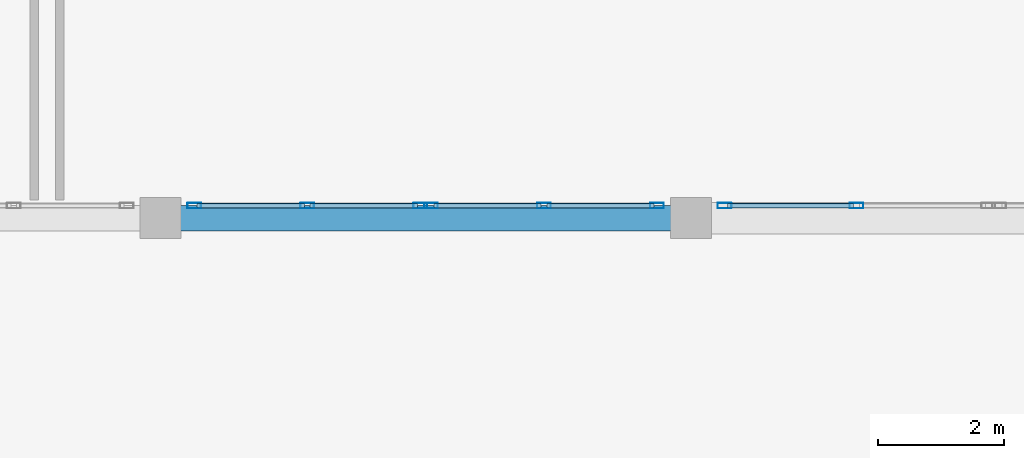
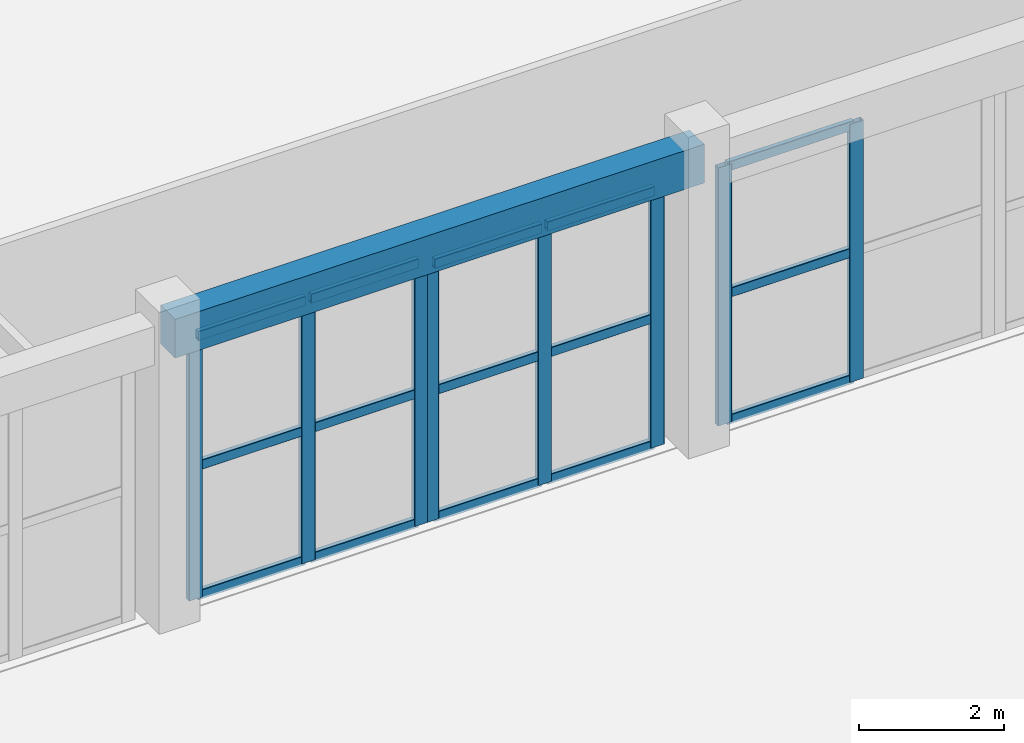
# One storey, part 24 of 98: 23 members, 1 beam, 3 elements without a shape of their own.
"""IFC4 building model written with IfcOpenShell, lengths in metres."""

from ifc_helpers import new_model, si_unit, direction, frame, origin, origin_2d, place, context, subcontext, project, spatial, rectangle, hollow_rectangle, extrude, material, layer, layer_set, material_profile, profile_set, type_object, element, aggregate, save


model = new_model("IFC4")

# Units and contexts
model_context = context("Model", 3, precision=1e-05, world=origin(), true_north=direction((0.0, 1.0)))
body_context = subcontext(model_context, "Body", "Model", "MODEL_VIEW")
ifc_project = project(units=[si_unit("LENGTHUNIT", "METRE"), si_unit("AREAUNIT", "SQUARE_METRE"), si_unit("VOLUMEUNIT", "CUBIC_METRE"), si_unit("PLANEANGLEUNIT", "RADIAN"), si_unit("MASSUNIT", "GRAM", prefix="KILO")], contexts=[model_context])

# Site, building, storey
site_placement = place(None, origin())
site = spatial("IfcSite", under=ifc_project, at=site_placement, CompositionType="ELEMENT")
building_placement = place(site_placement, origin())
building = spatial("IfcBuilding", under=site, at=building_placement, Name="Tarnavel Promenade Courthouse", CompositionType="ELEMENT")
storey_placement = place(building_placement, origin())
storey = spatial("IfcBuildingStorey", under=building, at=storey_placement, Name="L01", CompositionType="ELEMENT", Elevation=0.0)

# Beam
ifc_material_1 = material(Name="Concrete C40/50", Category="concrete")
ifc_material_profile_1 = material_profile(ifc_material_1, rectangle(XDim=0.39990234375, YDim=0.64990234375, at=origin_2d()), Name="RC 400x650")
ifc_profile_set_1 = profile_set([ifc_material_profile_1], Name="Concrete C40/50")
beam_type = type_object("IfcBeamType", Name="Concrete C40/50 BM-RC-400x650 (RC 400x650)", PredefinedType="BEAM", material=ifc_profile_set_1)
beam_placement = place(storey_placement, frame((84.0, 46.800048828125, 4.77001953125), z_axis=(1.0, 0.0, 0.0), x_axis=(0.0, 1.0, 0.0)))
element("IfcBeam", 1, at=beam_placement, inside=storey, type_object=beam_type, Name="L01 Primary Longitudinal Beam 0623", PredefinedType="BEAM", context=body_context, shape_type="SweptSolid", body=[
    extrude(rectangle(XDim=0.39990234375, YDim=0.64990234375, at=origin_2d()), origin(), (0.0, 0.0, 1.0), 8.39990234375),
])

# Curtain wall, members
ifc_material_2 = material(Name="Thermally Broken Anodised Aluminium Curtain Wall System", Category="aluminium")
ifc_layer = layer(ifc_material_2, 0.239990234375)
ifc_layer_set = layer_set([ifc_layer], Name="Thermally Broken Anodised Aluminium Curtain Wall System")
curtain_wall_type = type_object("IfcCurtainWallType", Name="Thermally Broken Aluminium Triple-Glazed Curtain Wall CW-WG-S", PredefinedType="NOTDEFINED", material=ifc_layer_set)
curtain_wall_1_placement = place(storey_placement, origin())
curtain_wall_1 = element("IfcCurtainWall", 2, at=curtain_wall_1_placement, inside=storey, type_object=curtain_wall_type, Name="L01 Winter-Garden South Solar Curtain Wall 053", PredefinedType="NOTDEFINED")
ifc_material_3 = material(Name="Thermally Broken Anodised Aluminium Frame", Category="aluminium")
ifc_material_profile_2 = material_profile(ifc_material_3, hollow_rectangle(XDim=0.090087890625, YDim=0.219970703125, WallThickness=0.0048828125, InnerFilletRadius=0.0048828125, OuterFilletRadius=0.010009765625, at=origin_2d()), Name="CWM 220x90x5")
ifc_profile_set_2 = profile_set([ifc_material_profile_2], Name="Thermally Broken Anodised Aluminium Frame")
member_type_1 = type_object("IfcMemberType", Name="Thermally Broken Anodised Aluminium CWM-175 (CWM 220x90x5)", PredefinedType="MULLION", material=ifc_profile_set_2)
member_1_placement = place(storey_placement, frame((84.534912109375, 47.0, 0.0), z_axis=(0.0, 0.0, 1.0), x_axis=(0.0, 1.0, 0.0)))
member_1 = element("IfcMember", 3, at=member_1_placement, type_object=member_type_1, Name="CW-02 mullion 1", PredefinedType="MULLION", context=body_context, shape_type="SweptSolid", body=[
    extrude(hollow_rectangle(XDim=0.090087890625, YDim=0.219970703125, WallThickness=0.0048828125, InnerFilletRadius=0.0048828125, OuterFilletRadius=0.010009765625, at=origin_2d()), origin(), (0.0, 0.0, 1.0), 4.429931640625),
])
member_2_placement = place(storey_placement, frame((86.324951171875, 47.0, 0.0), z_axis=(0.0, 0.0, 1.0), x_axis=(0.0, 1.0, 0.0)))
member_2 = element("IfcMember", 4, at=member_2_placement, type_object=member_type_1, Name="CW-02 mullion 2", PredefinedType="MULLION", context=body_context, shape_type="SweptSolid", body=[
    extrude(hollow_rectangle(XDim=0.090087890625, YDim=0.219970703125, WallThickness=0.0048828125, InnerFilletRadius=0.0048828125, OuterFilletRadius=0.010009765625, at=origin_2d()), origin(), (0.0, 0.0, 1.0), 4.429931640625),
])
member_3_placement = place(storey_placement, frame((88.114990234375, 47.0, 0.0), z_axis=(0.0, 0.0, 1.0), x_axis=(0.0, 1.0, 0.0)))
member_3 = element("IfcMember", 5, at=member_3_placement, type_object=member_type_1, Name="CW-02 mullion 3", PredefinedType="MULLION", context=body_context, shape_type="SweptSolid", body=[
    extrude(hollow_rectangle(XDim=0.090087890625, YDim=0.219970703125, WallThickness=0.0048828125, InnerFilletRadius=0.0048828125, OuterFilletRadius=0.010009765625, at=origin_2d()), origin(), (0.0, 0.0, 1.0), 4.429931640625),
])

curtain_wall_2_placement = place(storey_placement, origin())
curtain_wall_2 = element("IfcCurtainWall", 6, at=curtain_wall_2_placement, inside=storey, type_object=curtain_wall_type, Name="L01 Winter-Garden South Solar Curtain Wall 054", PredefinedType="NOTDEFINED")
member_4_placement = place(storey_placement, frame((88.284912109375, 47.0, 0.0), z_axis=(0.0, 0.0, 1.0), x_axis=(0.0, 1.0, 0.0)))
member_4 = element("IfcMember", 7, at=member_4_placement, type_object=member_type_1, Name="CW-02 mullion 1", PredefinedType="MULLION", context=body_context, shape_type="SweptSolid", body=[
    extrude(hollow_rectangle(XDim=0.090087890625, YDim=0.219970703125, WallThickness=0.0048828125, InnerFilletRadius=0.0048828125, OuterFilletRadius=0.010009765625, at=origin_2d()), origin(), (0.0, 0.0, 1.0), 4.330078125),
])
member_5_placement = place(storey_placement, frame((90.074951171875, 47.0, 0.0), z_axis=(0.0, 0.0, 1.0), x_axis=(0.0, 1.0, 0.0)))
member_5 = element("IfcMember", 8, at=member_5_placement, type_object=member_type_1, Name="CW-02 mullion 2", PredefinedType="MULLION", context=body_context, shape_type="SweptSolid", body=[
    extrude(hollow_rectangle(XDim=0.090087890625, YDim=0.219970703125, WallThickness=0.0048828125, InnerFilletRadius=0.0048828125, OuterFilletRadius=0.010009765625, at=origin_2d()), origin(), (0.0, 0.0, 1.0), 4.330078125),
])
member_6_placement = place(storey_placement, frame((91.864990234375, 47.0, 0.0), z_axis=(0.0, 0.0, 1.0), x_axis=(0.0, 1.0, 0.0)))
member_6 = element("IfcMember", 9, at=member_6_placement, type_object=member_type_1, Name="CW-02 mullion 3", PredefinedType="MULLION", context=body_context, shape_type="SweptSolid", body=[
    extrude(hollow_rectangle(XDim=0.090087890625, YDim=0.219970703125, WallThickness=0.0048828125, InnerFilletRadius=0.0048828125, OuterFilletRadius=0.010009765625, at=origin_2d()), origin(), (0.0, 0.0, 1.0), 4.330078125),
])

curtain_wall_3_placement = place(storey_placement, origin())
curtain_wall_3 = element("IfcCurtainWall", 10, at=curtain_wall_3_placement, inside=storey, type_object=curtain_wall_type, Name="L01 Winter-Garden South Solar Curtain Wall 055", PredefinedType="NOTDEFINED")
member_7_placement = place(storey_placement, frame((92.93505859375, 47.0, 0.0), z_axis=(0.0, 0.0, 1.0), x_axis=(0.0, 1.0, 0.0)))
member_7 = element("IfcMember", 11, at=member_7_placement, type_object=member_type_1, Name="CW-02 mullion 1", PredefinedType="MULLION", context=body_context, shape_type="SweptSolid", body=[
    extrude(hollow_rectangle(XDim=0.090087890625, YDim=0.219970703125, WallThickness=0.0048828125, InnerFilletRadius=0.0048828125, OuterFilletRadius=0.010009765625, at=origin_2d()), origin(), (0.0, 0.0, 1.0), 4.330078125),
])
member_8_placement = place(storey_placement, frame((95.02490234375, 47.0, 0.0), z_axis=(0.0, 0.0, 1.0), x_axis=(0.0, 1.0, 0.0)))
member_8 = element("IfcMember", 12, at=member_8_placement, type_object=member_type_1, Name="CW-02 mullion 2", PredefinedType="MULLION", context=body_context, shape_type="SweptSolid", body=[
    extrude(hollow_rectangle(XDim=0.090087890625, YDim=0.219970703125, WallThickness=0.0048828125, InnerFilletRadius=0.0048828125, OuterFilletRadius=0.010009765625, at=origin_2d()), origin(), (0.0, 0.0, 1.0), 4.330078125),
])

# Member
ifc_material_profile_3 = material_profile(ifc_material_3, hollow_rectangle(XDim=0.080078125, YDim=0.159912109375, WallThickness=0.0048828125, InnerFilletRadius=0.0048828125, OuterFilletRadius=0.010009765625, at=origin_2d()), Name="CWT 160x80x5")
ifc_profile_set_3 = profile_set([ifc_material_profile_3], Name="Thermally Broken Anodised Aluminium Frame")
member_type_2 = type_object("IfcMemberType", Name="Thermally Broken Anodised Aluminium CWT-145 (CWT 160x80x5)", PredefinedType="USERDEFINED", material=ifc_profile_set_3)
member_9_placement = place(storey_placement, frame((84.580078125, 47.0, 0.0400390625), z_axis=(1.0, 0.0, 0.0), x_axis=(0.0, 1.0, 0.0)))
member_9 = element("IfcMember", 13, at=member_9_placement, type_object=member_type_2, Name="CW-02 transom 1.1", ObjectType="TRANSOM", PredefinedType="USERDEFINED", context=body_context, shape_type="SweptSolid", body=[
    extrude(hollow_rectangle(XDim=0.080078125, YDim=0.159912109375, WallThickness=0.0048828125, InnerFilletRadius=0.0048828125, OuterFilletRadius=0.010009765625, at=origin_2d()), origin(), (0.0, 0.0, 1.0), 1.699951171875),
])

member_10_placement = place(storey_placement, frame((84.580078125, 47.0, 2.215087890625), z_axis=(1.0, 0.0, 0.0), x_axis=(0.0, 1.0, 0.0)))
member_10 = element("IfcMember", 14, at=member_10_placement, type_object=member_type_2, Name="CW-02 transom 1.2", ObjectType="TRANSOM", PredefinedType="USERDEFINED", context=body_context, shape_type="SweptSolid", body=[
    extrude(hollow_rectangle(XDim=0.080078125, YDim=0.159912109375, WallThickness=0.0048828125, InnerFilletRadius=0.0048828125, OuterFilletRadius=0.010009765625, at=origin_2d()), origin(), (0.0, 0.0, 1.0), 1.699951171875),
])

member_11_placement = place(storey_placement, frame((84.580078125, 47.0, 4.389892578125), z_axis=(1.0, 0.0, 0.0), x_axis=(0.0, 1.0, 0.0)))
member_11 = element("IfcMember", 15, at=member_11_placement, type_object=member_type_2, Name="CW-02 transom 1.3", ObjectType="TRANSOM", PredefinedType="USERDEFINED", context=body_context, shape_type="SweptSolid", body=[
    extrude(hollow_rectangle(XDim=0.080078125, YDim=0.159912109375, WallThickness=0.0048828125, InnerFilletRadius=0.0048828125, OuterFilletRadius=0.010009765625, at=origin_2d()), origin(), (0.0, 0.0, 1.0), 1.699951171875),
])

member_12_placement = place(storey_placement, frame((86.3701171875, 47.0, 0.0400390625), z_axis=(1.0, 0.0, 0.0), x_axis=(0.0, 1.0, 0.0)))
member_12 = element("IfcMember", 16, at=member_12_placement, type_object=member_type_2, Name="CW-02 transom 2.1", ObjectType="TRANSOM", PredefinedType="USERDEFINED", context=body_context, shape_type="SweptSolid", body=[
    extrude(hollow_rectangle(XDim=0.080078125, YDim=0.159912109375, WallThickness=0.0048828125, InnerFilletRadius=0.0048828125, OuterFilletRadius=0.010009765625, at=origin_2d()), origin(), (0.0, 0.0, 1.0), 1.699951171875),
])

member_13_placement = place(storey_placement, frame((86.3701171875, 47.0, 2.215087890625), z_axis=(1.0, 0.0, 0.0), x_axis=(0.0, 1.0, 0.0)))
member_13 = element("IfcMember", 17, at=member_13_placement, type_object=member_type_2, Name="CW-02 transom 2.2", ObjectType="TRANSOM", PredefinedType="USERDEFINED", context=body_context, shape_type="SweptSolid", body=[
    extrude(hollow_rectangle(XDim=0.080078125, YDim=0.159912109375, WallThickness=0.0048828125, InnerFilletRadius=0.0048828125, OuterFilletRadius=0.010009765625, at=origin_2d()), origin(), (0.0, 0.0, 1.0), 1.699951171875),
])

member_14_placement = place(storey_placement, frame((86.3701171875, 47.0, 4.389892578125), z_axis=(1.0, 0.0, 0.0), x_axis=(0.0, 1.0, 0.0)))
member_14 = element("IfcMember", 18, at=member_14_placement, type_object=member_type_2, Name="CW-02 transom 2.3", ObjectType="TRANSOM", PredefinedType="USERDEFINED", context=body_context, shape_type="SweptSolid", body=[
    extrude(hollow_rectangle(XDim=0.080078125, YDim=0.159912109375, WallThickness=0.0048828125, InnerFilletRadius=0.0048828125, OuterFilletRadius=0.010009765625, at=origin_2d()), origin(), (0.0, 0.0, 1.0), 1.699951171875),
])

aggregate(curtain_wall_1, [member_1, member_2, member_3, member_9, member_10, member_11, member_12, member_13, member_14])

member_15_placement = place(storey_placement, frame((88.330078125, 47.0, 0.0400390625), z_axis=(1.0, 0.0, 0.0), x_axis=(0.0, 1.0, 0.0)))
member_15 = element("IfcMember", 19, at=member_15_placement, type_object=member_type_2, Name="CW-02 transom 1.1", ObjectType="TRANSOM", PredefinedType="USERDEFINED", context=body_context, shape_type="SweptSolid", body=[
    extrude(hollow_rectangle(XDim=0.080078125, YDim=0.159912109375, WallThickness=0.0048828125, InnerFilletRadius=0.0048828125, OuterFilletRadius=0.010009765625, at=origin_2d()), origin(), (0.0, 0.0, 1.0), 1.699951171875),
])

member_16_placement = place(storey_placement, frame((88.330078125, 47.0, 2.1650390625), z_axis=(1.0, 0.0, 0.0), x_axis=(0.0, 1.0, 0.0)))
member_16 = element("IfcMember", 20, at=member_16_placement, type_object=member_type_2, Name="CW-02 transom 1.2", ObjectType="TRANSOM", PredefinedType="USERDEFINED", context=body_context, shape_type="SweptSolid", body=[
    extrude(hollow_rectangle(XDim=0.080078125, YDim=0.159912109375, WallThickness=0.0048828125, InnerFilletRadius=0.0048828125, OuterFilletRadius=0.010009765625, at=origin_2d()), origin(), (0.0, 0.0, 1.0), 1.699951171875),
])

member_17_placement = place(storey_placement, frame((88.330078125, 47.0, 4.2900390625), z_axis=(1.0, 0.0, 0.0), x_axis=(0.0, 1.0, 0.0)))
member_17 = element("IfcMember", 21, at=member_17_placement, type_object=member_type_2, Name="CW-02 transom 1.3", ObjectType="TRANSOM", PredefinedType="USERDEFINED", context=body_context, shape_type="SweptSolid", body=[
    extrude(hollow_rectangle(XDim=0.080078125, YDim=0.159912109375, WallThickness=0.0048828125, InnerFilletRadius=0.0048828125, OuterFilletRadius=0.010009765625, at=origin_2d()), origin(), (0.0, 0.0, 1.0), 1.699951171875),
])

member_18_placement = place(storey_placement, frame((90.1201171875, 47.0, 0.0400390625), z_axis=(1.0, 0.0, 0.0), x_axis=(0.0, 1.0, 0.0)))
member_18 = element("IfcMember", 22, at=member_18_placement, type_object=member_type_2, Name="CW-02 transom 2.1", ObjectType="TRANSOM", PredefinedType="USERDEFINED", context=body_context, shape_type="SweptSolid", body=[
    extrude(hollow_rectangle(XDim=0.080078125, YDim=0.159912109375, WallThickness=0.0048828125, InnerFilletRadius=0.0048828125, OuterFilletRadius=0.010009765625, at=origin_2d()), origin(), (0.0, 0.0, 1.0), 1.699951171875),
])

member_19_placement = place(storey_placement, frame((90.1201171875, 47.0, 2.1650390625), z_axis=(1.0, 0.0, 0.0), x_axis=(0.0, 1.0, 0.0)))
member_19 = element("IfcMember", 23, at=member_19_placement, type_object=member_type_2, Name="CW-02 transom 2.2", ObjectType="TRANSOM", PredefinedType="USERDEFINED", context=body_context, shape_type="SweptSolid", body=[
    extrude(hollow_rectangle(XDim=0.080078125, YDim=0.159912109375, WallThickness=0.0048828125, InnerFilletRadius=0.0048828125, OuterFilletRadius=0.010009765625, at=origin_2d()), origin(), (0.0, 0.0, 1.0), 1.699951171875),
])

member_20_placement = place(storey_placement, frame((90.1201171875, 47.0, 4.2900390625), z_axis=(1.0, 0.0, 0.0), x_axis=(0.0, 1.0, 0.0)))
member_20 = element("IfcMember", 24, at=member_20_placement, type_object=member_type_2, Name="CW-02 transom 2.3", ObjectType="TRANSOM", PredefinedType="USERDEFINED", context=body_context, shape_type="SweptSolid", body=[
    extrude(hollow_rectangle(XDim=0.080078125, YDim=0.159912109375, WallThickness=0.0048828125, InnerFilletRadius=0.0048828125, OuterFilletRadius=0.010009765625, at=origin_2d()), origin(), (0.0, 0.0, 1.0), 1.699951171875),
])

aggregate(curtain_wall_2, [member_4, member_5, member_6, member_15, member_16, member_17, member_18, member_19, member_20])

member_21_placement = place(storey_placement, frame((92.97998046875, 47.0, 0.0400390625), z_axis=(1.0, 0.0, 0.0), x_axis=(0.0, 1.0, 0.0)))
member_21 = element("IfcMember", 25, at=member_21_placement, type_object=member_type_2, Name="CW-02 transom 1.1", ObjectType="TRANSOM", PredefinedType="USERDEFINED", context=body_context, shape_type="SweptSolid", body=[
    extrude(hollow_rectangle(XDim=0.080078125, YDim=0.159912109375, WallThickness=0.0048828125, InnerFilletRadius=0.0048828125, OuterFilletRadius=0.010009765625, at=origin_2d()), origin(), (0.0, 0.0, 1.0), 2.0),
])

member_22_placement = place(storey_placement, frame((92.97998046875, 47.0, 2.1650390625), z_axis=(1.0, 0.0, 0.0), x_axis=(0.0, 1.0, 0.0)))
member_22 = element("IfcMember", 26, at=member_22_placement, type_object=member_type_2, Name="CW-02 transom 1.2", ObjectType="TRANSOM", PredefinedType="USERDEFINED", context=body_context, shape_type="SweptSolid", body=[
    extrude(hollow_rectangle(XDim=0.080078125, YDim=0.159912109375, WallThickness=0.0048828125, InnerFilletRadius=0.0048828125, OuterFilletRadius=0.010009765625, at=origin_2d()), origin(), (0.0, 0.0, 1.0), 2.0),
])

member_23_placement = place(storey_placement, frame((92.97998046875, 47.0, 4.2900390625), z_axis=(1.0, 0.0, 0.0), x_axis=(0.0, 1.0, 0.0)))
member_23 = element("IfcMember", 27, at=member_23_placement, type_object=member_type_2, Name="CW-02 transom 1.3", ObjectType="TRANSOM", PredefinedType="USERDEFINED", context=body_context, shape_type="SweptSolid", body=[
    extrude(hollow_rectangle(XDim=0.080078125, YDim=0.159912109375, WallThickness=0.0048828125, InnerFilletRadius=0.0048828125, OuterFilletRadius=0.010009765625, at=origin_2d()), origin(), (0.0, 0.0, 1.0), 2.0),
])

aggregate(curtain_wall_3, [member_7, member_8, member_21, member_22, member_23])

save(model, "model.ifc")
